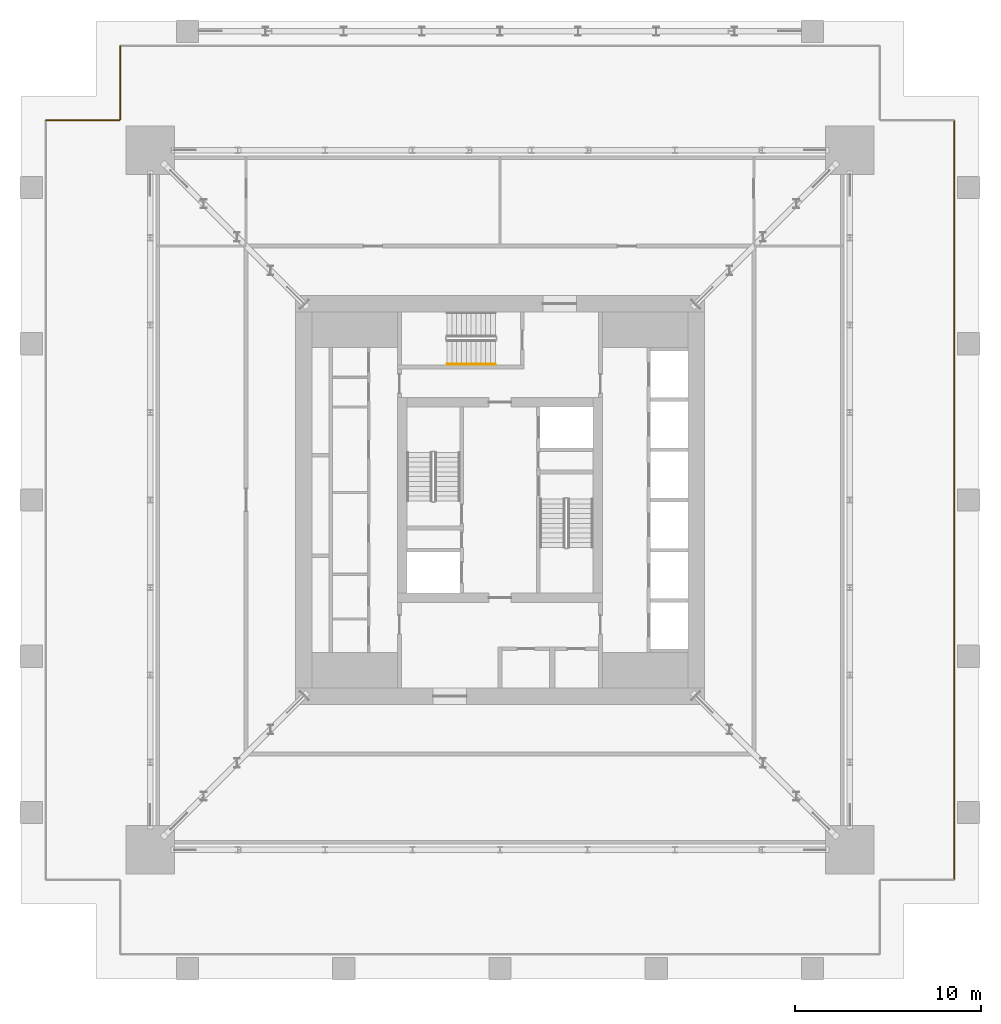
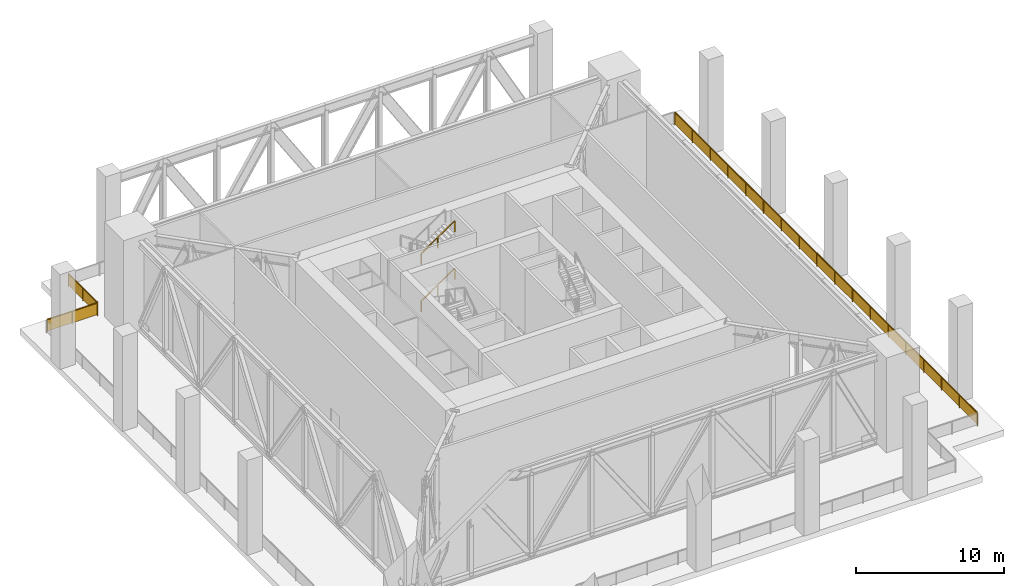
# One storey, part 15 of 17: 5 railings.
"""IFC4 building model written with IfcOpenShell, lengths in metres."""

from ifc_helpers import new_model, si_unit, direction, frame, origin, origin_2d, place, context, subcontext, project, spatial, rectangle, extrude, material, type_object, element, save


model = new_model("IFC4")

# Units and contexts
model_context = context("Model", 3, precision=1e-05, world=origin(), true_north=direction((0.0, 1.0)))
body_context = subcontext(model_context, "Body", "Model", "MODEL_VIEW")
ifc_project = project(units=[si_unit("LENGTHUNIT", "METRE"), si_unit("AREAUNIT", "SQUARE_METRE"), si_unit("VOLUMEUNIT", "CUBIC_METRE"), si_unit("PLANEANGLEUNIT", "RADIAN"), si_unit("MASSUNIT", "GRAM", prefix="KILO")], contexts=[model_context])

# Site, building, storey
site_placement = place(None, origin())
site = spatial("IfcSite", under=ifc_project, at=site_placement, CompositionType="ELEMENT")
building_placement = place(site_placement, origin())
building = spatial("IfcBuilding", under=site, at=building_placement, Name="Khepri Terraces", CompositionType="ELEMENT")
storey_placement = place(building_placement, frame((0.0, 0.0, 180.60009765625)))
storey = spatial("IfcBuildingStorey", under=building, at=storey_placement, Name="L43", CompositionType="ELEMENT", Elevation=180.60009765625)

# Railings
ifc_material_1 = material(Name="Stainless steel grade 316", Category="steel")
railing_type_1 = type_object("IfcRailingType", Name="GRD-BAL-1100", PredefinedType="GUARDRAIL", material=ifc_material_1)
railing_1_placement = place(storey_placement, frame((24.419921875, -20.3798828125, 0.0)))
element("IfcRailing", 1, at=railing_1_placement, inside=storey, type_object=railing_type_1, Name="Edge guard L43", PredefinedType="GUARDRAIL", context=body_context, shape_type="SweptSolid", body=[
    extrude(rectangle(XDim=0.050048828125, YDim=0.06005859375, at=origin_2d()), frame((0.0, 0.0, 1.070068359375), z_axis=(0.0, 1.0, 0.0), x_axis=(-1.0, 0.0, 0.0)), (0.0, 0.0, 1.0), 40.759765625),
    extrude(rectangle(XDim=2.34765625, YDim=0.011962890625, at=origin_2d()), frame((0.0, 1.19873046875, 0.10009765625), z_axis=(0.0, 0.0, 1.0), x_axis=(0.0, 1.0, 0.0)), (0.0, 0.0, 1.0), 0.93994140625),
    extrude(rectangle(XDim=2.34765625, YDim=0.011962890625, at=origin_2d()), frame((0.0, 3.596435546875, 0.10009765625), z_axis=(0.0, 0.0, 1.0), x_axis=(0.0, 1.0, 0.0)), (0.0, 0.0, 1.0), 0.93994140625),
    extrude(rectangle(XDim=2.34765625, YDim=0.011962890625, at=origin_2d()), frame((0.0, 5.994140625, 0.10009765625), z_axis=(0.0, 0.0, 1.0), x_axis=(0.0, 1.0, 0.0)), (0.0, 0.0, 1.0), 0.93994140625),
    extrude(rectangle(XDim=2.34765625, YDim=0.011962890625, at=origin_2d()), frame((0.0, 8.3916015625, 0.10009765625), z_axis=(0.0, 0.0, 1.0), x_axis=(0.0, 1.0, 0.0)), (0.0, 0.0, 1.0), 0.93994140625),
    extrude(rectangle(XDim=2.34765625, YDim=0.011962890625, at=origin_2d()), frame((0.0, 10.789306640625, 0.10009765625), z_axis=(0.0, 0.0, 1.0), x_axis=(0.0, 1.0, 0.0)), (0.0, 0.0, 1.0), 0.93994140625),
    extrude(rectangle(XDim=2.34765625, YDim=0.011962890625, at=origin_2d()), frame((0.0, 13.18701171875, 0.10009765625), z_axis=(0.0, 0.0, 1.0), x_axis=(0.0, 1.0, 0.0)), (0.0, 0.0, 1.0), 0.93994140625),
    extrude(rectangle(XDim=2.34765625, YDim=0.011962890625, at=origin_2d()), frame((0.0, 15.584716796875, 0.10009765625), z_axis=(0.0, 0.0, 1.0), x_axis=(0.0, 1.0, 0.0)), (0.0, 0.0, 1.0), 0.93994140625),
    extrude(rectangle(XDim=2.34765625, YDim=0.011962890625, at=origin_2d()), frame((0.0, 17.982177734375, 0.10009765625), z_axis=(0.0, 0.0, 1.0), x_axis=(0.0, 1.0, 0.0)), (0.0, 0.0, 1.0), 0.93994140625),
    extrude(rectangle(XDim=2.34765625, YDim=0.011962890625, at=origin_2d()), frame((0.0, 20.3798828125, 0.10009765625), z_axis=(0.0, 0.0, 1.0), x_axis=(0.0, 1.0, 0.0)), (0.0, 0.0, 1.0), 0.93994140625),
    extrude(rectangle(XDim=2.34765625, YDim=0.011962890625, at=origin_2d()), frame((0.0, 22.777587890625, 0.10009765625), z_axis=(0.0, 0.0, 1.0), x_axis=(0.0, 1.0, 0.0)), (0.0, 0.0, 1.0), 0.93994140625),
    extrude(rectangle(XDim=2.34765625, YDim=0.011962890625, at=origin_2d()), frame((0.0, 25.175048828125, 0.10009765625), z_axis=(0.0, 0.0, 1.0), x_axis=(0.0, 1.0, 0.0)), (0.0, 0.0, 1.0), 0.93994140625),
    extrude(rectangle(XDim=2.34765625, YDim=0.011962890625, at=origin_2d()), frame((0.0, 27.57275390625, 0.10009765625), z_axis=(0.0, 0.0, 1.0), x_axis=(0.0, 1.0, 0.0)), (0.0, 0.0, 1.0), 0.93994140625),
    extrude(rectangle(XDim=2.34765625, YDim=0.011962890625, at=origin_2d()), frame((0.0, 29.970458984375, 0.10009765625), z_axis=(0.0, 0.0, 1.0), x_axis=(0.0, 1.0, 0.0)), (0.0, 0.0, 1.0), 0.93994140625),
    extrude(rectangle(XDim=2.34765625, YDim=0.011962890625, at=origin_2d()), frame((0.0, 32.3681640625, 0.10009765625), z_axis=(0.0, 0.0, 1.0), x_axis=(0.0, 1.0, 0.0)), (0.0, 0.0, 1.0), 0.93994140625),
    extrude(rectangle(XDim=2.34765625, YDim=0.011962890625, at=origin_2d()), frame((0.0, 34.765625, 0.10009765625), z_axis=(0.0, 0.0, 1.0), x_axis=(0.0, 1.0, 0.0)), (0.0, 0.0, 1.0), 0.93994140625),
    extrude(rectangle(XDim=2.34765625, YDim=0.011962890625, at=origin_2d()), frame((0.0, 37.163330078125, 0.10009765625), z_axis=(0.0, 0.0, 1.0), x_axis=(0.0, 1.0, 0.0)), (0.0, 0.0, 1.0), 0.93994140625),
    extrude(rectangle(XDim=2.34765625, YDim=0.011962890625, at=origin_2d()), frame((0.0, 39.56103515625, 0.10009765625), z_axis=(0.0, 0.0, 1.0), x_axis=(0.0, 1.0, 0.0)), (0.0, 0.0, 1.0), 0.93994140625),
    extrude(rectangle(XDim=0.050048828125, YDim=0.050048828125, at=origin_2d()), origin(), (0.0, 0.0, 1.0), 1.0400390625),
    extrude(rectangle(XDim=0.050048828125, YDim=0.050048828125, at=origin_2d()), frame((0.0, 2.397705078125, 0.0)), (0.0, 0.0, 1.0), 1.0400390625),
    extrude(rectangle(XDim=0.050048828125, YDim=0.050048828125, at=origin_2d()), frame((0.0, 4.795166015625, 0.0)), (0.0, 0.0, 1.0), 1.0400390625),
    extrude(rectangle(XDim=0.050048828125, YDim=0.050048828125, at=origin_2d()), frame((0.0, 7.19287109375, 0.0)), (0.0, 0.0, 1.0), 1.0400390625),
    extrude(rectangle(XDim=0.050048828125, YDim=0.050048828125, at=origin_2d()), frame((0.0, 9.590576171875, 0.0)), (0.0, 0.0, 1.0), 1.0400390625),
    extrude(rectangle(XDim=0.050048828125, YDim=0.050048828125, at=origin_2d()), frame((0.0, 11.98828125, 0.0)), (0.0, 0.0, 1.0), 1.0400390625),
    extrude(rectangle(XDim=0.050048828125, YDim=0.050048828125, at=origin_2d()), frame((0.0, 14.3857421875, 0.0)), (0.0, 0.0, 1.0), 1.0400390625),
    extrude(rectangle(XDim=0.050048828125, YDim=0.050048828125, at=origin_2d()), frame((0.0, 16.783447265625, 0.0)), (0.0, 0.0, 1.0), 1.0400390625),
    extrude(rectangle(XDim=0.050048828125, YDim=0.050048828125, at=origin_2d()), frame((0.0, 19.18115234375, 0.0)), (0.0, 0.0, 1.0), 1.0400390625),
    extrude(rectangle(XDim=0.050048828125, YDim=0.050048828125, at=origin_2d()), frame((0.0, 21.57861328125, 0.0)), (0.0, 0.0, 1.0), 1.0400390625),
    extrude(rectangle(XDim=0.050048828125, YDim=0.050048828125, at=origin_2d()), frame((0.0, 23.976318359375, 0.0)), (0.0, 0.0, 1.0), 1.0400390625),
    extrude(rectangle(XDim=0.050048828125, YDim=0.050048828125, at=origin_2d()), frame((0.0, 26.3740234375, 0.0)), (0.0, 0.0, 1.0), 1.0400390625),
    extrude(rectangle(XDim=0.050048828125, YDim=0.050048828125, at=origin_2d()), frame((0.0, 28.771484375, 0.0)), (0.0, 0.0, 1.0), 1.0400390625),
    extrude(rectangle(XDim=0.050048828125, YDim=0.050048828125, at=origin_2d()), frame((0.0, 31.169189453125, 0.0)), (0.0, 0.0, 1.0), 1.0400390625),
    extrude(rectangle(XDim=0.050048828125, YDim=0.050048828125, at=origin_2d()), frame((0.0, 33.56689453125, 0.0)), (0.0, 0.0, 1.0), 1.0400390625),
    extrude(rectangle(XDim=0.050048828125, YDim=0.050048828125, at=origin_2d()), frame((0.0, 35.964599609375, 0.0)), (0.0, 0.0, 1.0), 1.0400390625),
    extrude(rectangle(XDim=0.050048828125, YDim=0.050048828125, at=origin_2d()), frame((0.0, 38.362060546875, 0.0)), (0.0, 0.0, 1.0), 1.0400390625),
    extrude(rectangle(XDim=0.050048828125, YDim=0.050048828125, at=origin_2d()), frame((0.0, 40.759765625, 0.0)), (0.0, 0.0, 1.0), 1.0400390625),
])
railing_2_placement = place(storey_placement, frame((-20.419921875, 24.3798828125, 0.0)))
element("IfcRailing", 2, at=railing_2_placement, inside=storey, type_object=railing_type_1, Name="Edge guard L43", PredefinedType="GUARDRAIL", context=body_context, shape_type="SweptSolid", body=[
    extrude(rectangle(XDim=0.050048828125, YDim=0.06005859375, at=origin_2d()), frame((0.0, 0.0, 1.070068359375), z_axis=(0.0, -1.0, 0.0), x_axis=(1.0, 0.0, 0.0)), (0.0, 0.0, 1.0), 3.919921875),
    extrude(rectangle(XDim=1.909912109375, YDim=0.011962890625, at=origin_2d()), frame((0.0, -0.97998046875, 0.10009765625), z_axis=(0.0, 0.0, 1.0), x_axis=(0.0, -1.0, 0.0)), (0.0, 0.0, 1.0), 0.93994140625),
    extrude(rectangle(XDim=1.909912109375, YDim=0.011962890625, at=origin_2d()), frame((0.0, -2.93994140625, 0.10009765625), z_axis=(0.0, 0.0, 1.0), x_axis=(0.0, -1.0, 0.0)), (0.0, 0.0, 1.0), 0.93994140625),
    extrude(rectangle(XDim=0.050048828125, YDim=0.050048828125, at=origin_2d()), origin(), (0.0, 0.0, 1.0), 1.0400390625),
    extrude(rectangle(XDim=0.050048828125, YDim=0.050048828125, at=origin_2d()), frame((0.0, -1.9599609375, 0.0)), (0.0, 0.0, 1.0), 1.0400390625),
    extrude(rectangle(XDim=0.050048828125, YDim=0.050048828125, at=origin_2d()), frame((0.0, -3.919921875, 0.0)), (0.0, 0.0, 1.0), 1.0400390625),
])
railing_3_placement = place(storey_placement, frame((-20.4599609375, 20.419921875, 0.0)))
element("IfcRailing", 3, at=railing_3_placement, inside=storey, type_object=railing_type_1, Name="Edge guard L43", PredefinedType="GUARDRAIL", context=body_context, shape_type="SweptSolid", body=[
    extrude(rectangle(XDim=0.050048828125, YDim=0.06005859375, at=origin_2d()), frame((0.0, 0.0, 1.070068359375), z_axis=(-1.0, 0.0, 0.0), x_axis=(0.0, -1.0, 0.0)), (0.0, 0.0, 1.0), 3.919921875),
    extrude(rectangle(XDim=1.909912109375, YDim=0.011962890625, at=origin_2d()), frame((-0.97998046875, 0.0, 0.10009765625), z_axis=(0.0, 0.0, 1.0), x_axis=(-1.0, 0.0, 0.0)), (0.0, 0.0, 1.0), 0.93994140625),
    extrude(rectangle(XDim=1.909912109375, YDim=0.011962890625, at=origin_2d()), frame((-2.93994140625, 0.0, 0.10009765625), z_axis=(0.0, 0.0, 1.0), x_axis=(-1.0, 0.0, 0.0)), (0.0, 0.0, 1.0), 0.93994140625),
    extrude(rectangle(XDim=0.050048828125, YDim=0.050048828125, at=origin_2d()), origin(), (0.0, 0.0, 1.0), 1.0400390625),
    extrude(rectangle(XDim=0.050048828125, YDim=0.050048828125, at=origin_2d()), frame((-1.9599609375, 0.0, 0.0)), (0.0, 0.0, 1.0), 1.0400390625),
    extrude(rectangle(XDim=0.050048828125, YDim=0.050048828125, at=origin_2d()), frame((-3.919921875, 0.0, 0.0)), (0.0, 0.0, 1.0), 1.0400390625),
])
ifc_material_2 = material(Name="Stainless steel 316", Category="steel")
railing_type_2 = type_object("IfcRailingType", Name="RL-CORE-HANDRAIL", PredefinedType="HANDRAIL", material=ifc_material_2)
for number, where, name in (
    (4, (-2.85009765625, 7.300048828125, 2.127197265625), "L43 ST-3 stair handrail 2"),
    (5, (-2.85009765625, 7.300048828125, 6.027099609375), "L43 ST-3 stair handrail 4"),
):
    element("IfcRailing", number, at=place(storey_placement, frame(where)), inside=storey, type_object=railing_type_2, Name=name, PredefinedType="HANDRAIL", context=body_context, shape_type="SweptSolid", body=[
        extrude(rectangle(XDim=0.050048828125, YDim=0.050048828125, at=origin_2d()), frame((0.0, 0.0, 0.875), z_axis=(0.826240473404, 0.0, 0.563317565952), x_axis=(0.0, 1.0, 0.0)), (0.0, 0.0, 1.0), 3.14697265625),
        extrude(rectangle(XDim=0.050048828125, YDim=0.050048828125, at=origin_2d()), origin(), (0.0, 0.0, 1.0), 0.849853515625),
        extrude(rectangle(XDim=0.050048828125, YDim=0.050048828125, at=origin_2d()), frame((1.300048828125, 0.0, 0.88623046875)), (0.0, 0.0, 1.0), 0.849853515625),
        extrude(rectangle(XDim=0.050048828125, YDim=0.050048828125, at=origin_2d()), frame((2.60009765625, 0.0, 1.772705078125)), (0.0, 0.0, 1.0), 0.849853515625),
    ])

save(model, "model.ifc")
